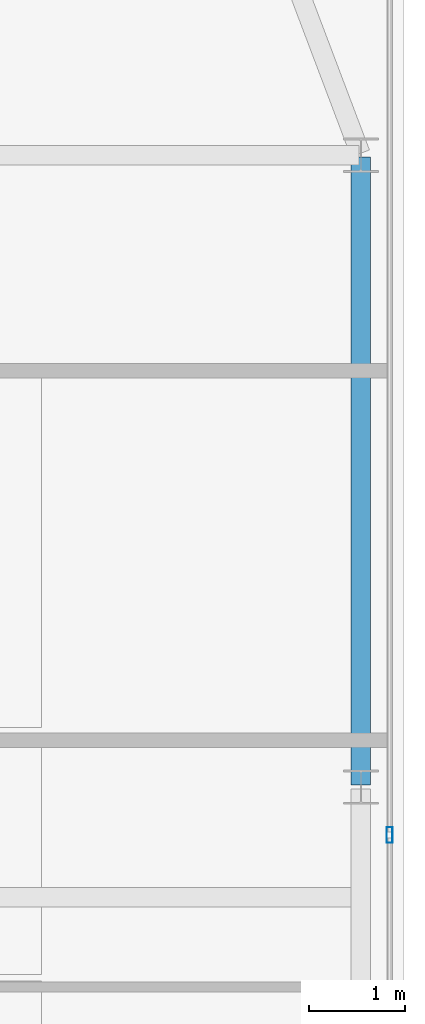
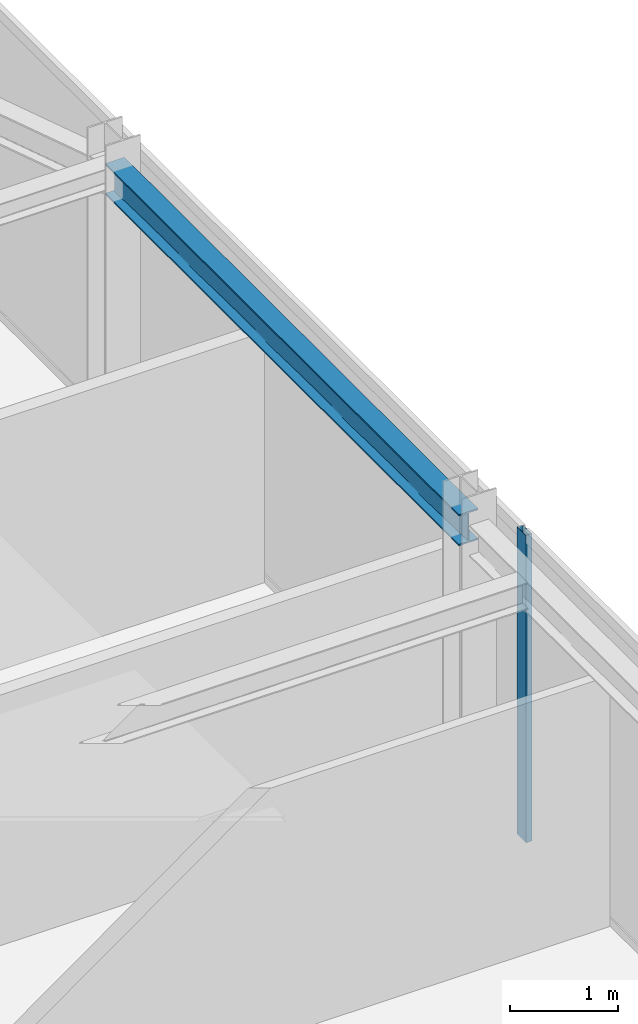
# One storey, part 19 of 28: 1 beam, 1 member, 1 element without a shape of its own.
"""IFC4 building model written with IfcOpenShell, lengths in metres."""

from ifc_helpers import new_model, si_unit, direction, frame, origin, origin_2d, place, context, subcontext, project, spatial, hollow_rectangle, i_section, extrude, source, transform, mapped, material, layer, layer_set, material_profile, profile_set, type_object, type_shapes, element, aggregate, save


model = new_model("IFC4")

# Units and contexts
model_context = context("Model", 3, precision=1e-05, world=origin(), true_north=direction((0.0, 1.0)))
body_context = subcontext(model_context, "Body", "Model", "MODEL_VIEW")
ifc_project = project(units=[si_unit("LENGTHUNIT", "METRE"), si_unit("AREAUNIT", "SQUARE_METRE"), si_unit("VOLUMEUNIT", "CUBIC_METRE"), si_unit("PLANEANGLEUNIT", "RADIAN"), si_unit("MASSUNIT", "GRAM", prefix="KILO")], contexts=[model_context])

# Site, building, storey
site_placement = place(None, origin())
site = spatial("IfcSite", under=ifc_project, at=site_placement, CompositionType="ELEMENT")
building_placement = place(site_placement, origin())
building = spatial("IfcBuilding", under=site, at=building_placement, Name="Varnel Quay Broadcast Tower", CompositionType="ELEMENT")
storey_placement = place(building_placement, frame((0.0, 0.0, 230.199951171875)))
storey = spatial("IfcBuildingStorey", under=building, at=storey_placement, Name="L57", CompositionType="ELEMENT", Elevation=230.199951171875)

# Beam
ifc_material_1 = material(Name="Structural Steel CSA G40.21 350W", Category="steel")
ifc_material_profile_1 = material_profile(ifc_material_1, i_section(OverallWidth=0.205078125, OverallDepth=0.35400390625, WebThickness=0.009521484375, FlangeThickness=0.016845703125, FilletRadius=0.012939453125, at=origin_2d()), Name="W360X79")
ifc_profile_set_1 = profile_set([ifc_material_profile_1], Name="Structural Steel CSA G40.21 350W")
beam_type = type_object("IfcBeamType", Name="Beam_W360X79", PredefinedType="SPANDREL", material=ifc_profile_set_1)
shared_shape_1 = source(origin(), body_context, "Body", "SweptSolid", [
    extrude(i_section(OverallWidth=0.205078125, OverallDepth=0.35400390625, WebThickness=0.009521484375, FlangeThickness=0.016845703125, FilletRadius=0.012939453125, at=origin_2d()), origin(), (0.0, 0.0, 1.0), 6.56005859375),
])
type_shapes(beam_type, [shared_shape_1])
beam_placement = place(storey_placement, frame((58.050048828125, 29.02001953125, 3.302978515625), z_axis=(0.0, 1.0, 0.0), x_axis=(-1.0, 0.0, 0.0)))
element("IfcBeam", 1, at=beam_placement, inside=storey, type_object=beam_type, Name="L57 East Spandrel TC-E2-TC-E3", PredefinedType="SPANDREL", context=body_context, shape_type="MappedRepresentation", body=[
    mapped(shared_shape_1, transform((0.0, 0.0, 0.0), x_axis=(1.0, 0.0, 0.0), y_axis=(0.0, 1.0, 0.0), z_axis=(0.0, 0.0, 1.0), scale=1.0)),
])

# Curtain wall, member
ifc_material_2 = material(Name="Anodised Bronze Aluminium 6063-T6", Category="aluminium")
ifc_layer = layer(ifc_material_2, 0.18994140625, Name="Anodised Bronze Aluminium 6063-T6")
ifc_layer_set = layer_set([ifc_layer], Name="Anodised Bronze Aluminium 6063-T6")
curtain_wall_type = type_object("IfcCurtainWallType", Name="CW_UpperTower", PredefinedType="NOTDEFINED", material=ifc_layer_set)
curtain_wall_placement = place(storey_placement, origin())
curtain_wall = element("IfcCurtainWall", 2, at=curtain_wall_placement, inside=storey, type_object=curtain_wall_type, Name="L57 East Unitised Curtain Wall", PredefinedType="NOTDEFINED")
ifc_material_profile_2 = material_profile(ifc_material_2, hollow_rectangle(XDim=0.06494140625, YDim=0.1650390625, WallThickness=0.00341796875, at=origin_2d()), Name="ALU65X165X3.5")
ifc_profile_set_2 = profile_set([ifc_material_profile_2], Name="Anodised Bronze Aluminium 6063-T6")
member_type = type_object("IfcMemberType", Name="Mull_CWS-03", PredefinedType="MULLION", material=ifc_profile_set_2)
shared_shape_2 = source(origin(), body_context, "Body", "SweptSolid", [
    extrude(hollow_rectangle(XDim=0.06494140625, YDim=0.1650390625, WallThickness=0.00341796875, at=origin_2d()), origin(), (0.0, 0.0, 1.0), 3.47998046875),
])
type_shapes(member_type, [shared_shape_2])
member_placement = place(storey_placement, frame((58.35009765625, 28.5, 0.0), z_axis=(0.0, 0.0, 1.0), x_axis=(-1.0, 0.0, 0.0)))
member = element("IfcMember", 3, at=member_placement, type_object=member_type, Name="CWS-03 mullion 2", PredefinedType="MULLION", context=body_context, shape_type="MappedRepresentation", body=[
    mapped(shared_shape_2, transform((0.0, 0.0, 0.0), x_axis=(1.0, 0.0, 0.0), y_axis=(0.0, 1.0, 0.0), z_axis=(0.0, 0.0, 1.0), scale=1.0)),
])
aggregate(curtain_wall, [member])

save(model, "model.ifc")
